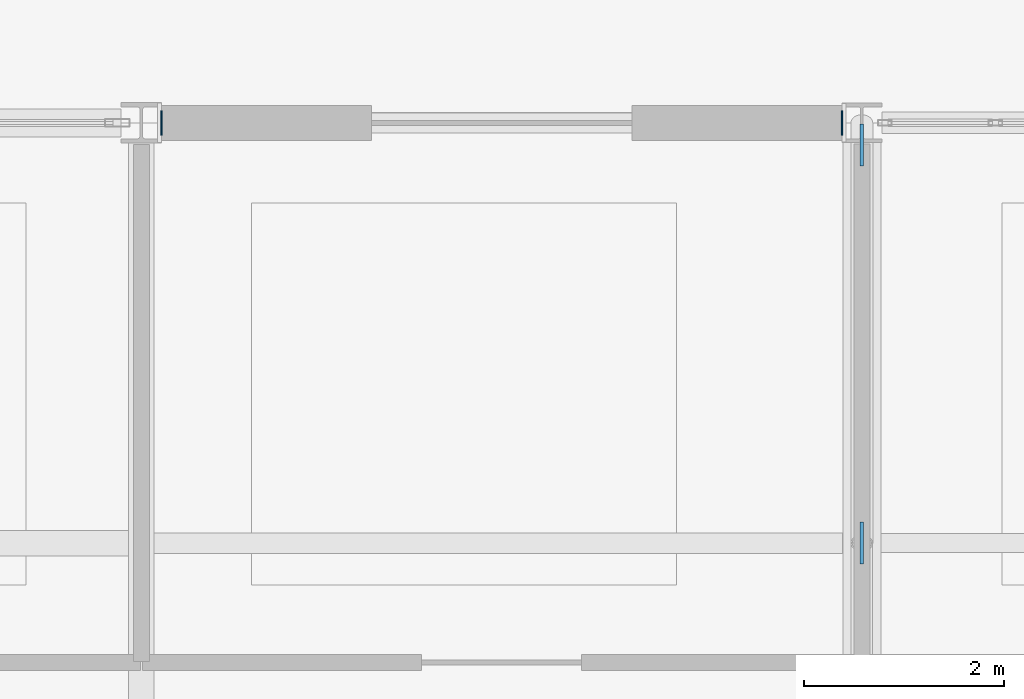
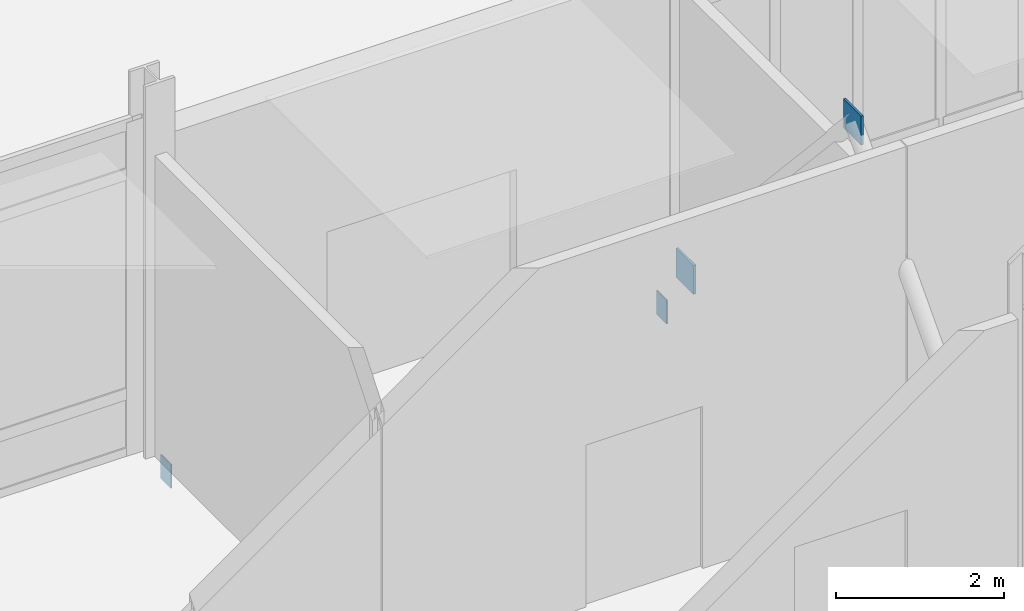
# One storey, part 185 of 229: 4 plates.
"""IFC4 building model written with IfcOpenShell, lengths in metres."""

from ifc_helpers import new_model, si_unit, direction, frame, origin, origin_2d, place, context, subcontext, project, spatial, rectangle, extrude, material, layer, layer_set, type_object, element, save


model = new_model("IFC4")

# Units and contexts
model_context = context("Model", 3, precision=1e-05, world=origin(), true_north=direction((0.0, 1.0)))
body_context = subcontext(model_context, "Body", "Model", "MODEL_VIEW")
ifc_project = project(units=[si_unit("LENGTHUNIT", "METRE"), si_unit("AREAUNIT", "SQUARE_METRE"), si_unit("VOLUMEUNIT", "CUBIC_METRE"), si_unit("PLANEANGLEUNIT", "RADIAN"), si_unit("MASSUNIT", "GRAM", prefix="KILO")], contexts=[model_context])

# Site, building, storey
site_placement = place(None, origin())
site = spatial("IfcSite", under=ifc_project, at=site_placement, CompositionType="ELEMENT")
building_placement = place(site_placement, origin())
building = spatial("IfcBuilding", under=site, at=building_placement, Name="Calvrana Isthmian Art Gallery", CompositionType="ELEMENT")
storey_placement = place(building_placement, origin())
storey = spatial("IfcBuildingStorey", under=building, at=storey_placement, Name="L00", CompositionType="ELEMENT", Elevation=0.0)

# Plates
ifc_material = material(Name="Steel ASTM A572 Gr 50", Category="steel")
ifc_layer_1 = layer(ifc_material, 0.01611328125, Name="Steel ASTM A572 Gr 50")
ifc_layer_set_1 = layer_set([ifc_layer_1], Name="Steel ASTM A572 Gr 50")
plate_type_1 = type_object("IfcPlateType", Name="PL-CAP-16", PredefinedType="SHEET", material=ifc_layer_set_1)
for number, where, z_axis, x_axis, name in (
    (1, (134.6005859375, 46.800048828125, -0.60986328125), (0.0, 0.0, 1.0), (1.0, 0.0, 0.0), "Hollow section end cap plate 389"),
    (2, (141.400390625, 46.800048828125, -0.60986328125), (0.0, 0.0, 1.0), (1.0, 0.0, 0.0), "Hollow section end cap plate 390"),
):
    element("IfcPlate", number, at=place(storey_placement, frame(where, z_axis=z_axis, x_axis=x_axis)), inside=storey, type_object=plate_type_1, Name=name, PredefinedType="SHEET", context=body_context, shape_type="SweptSolid", body=[
        extrude(rectangle(XDim=0.01611328125, YDim=0.2431640625, at=origin_2d()), origin(), (0.0, 0.0, 1.0), 0.3447265625),
    ])
ifc_layer_2 = layer(ifc_material, 0.031982421875, Name="Steel ASTM A572 Gr 50")
ifc_layer_set_2 = layer_set([ifc_layer_2], Name="Steel ASTM A572 Gr 50")
plate_type_2 = type_object("IfcPlateType", Name="PL-GUSSET-32", PredefinedType="USERDEFINED", material=ifc_layer_set_2)
for number, where, z_axis, x_axis, name in (
    (3, (141.60009765625, 42.60009765625, 4.51708984375), (0.0, 0.0, 1.0), (1.0, 0.0, 0.0), "Chevron brace gusset plate L00-7M"),
    (4, (141.60009765625, 46.580078125, -0.06005859375), (0.0, 0.0, 1.0), (1.0, 0.0, 0.0), "Chevron brace gusset plate L00-7R"),
):
    element("IfcPlate", number, at=place(storey_placement, frame(where, z_axis=z_axis, x_axis=x_axis)), inside=storey, type_object=plate_type_2, Name=name, ObjectType="GUSSET PLATE", PredefinedType="USERDEFINED", context=body_context, shape_type="SweptSolid", body=[
        extrude(rectangle(XDim=0.031982421875, YDim=0.419921875, at=origin_2d()), origin(), (0.0, 0.0, 1.0), 0.419921875),
    ])

save(model, "model.ifc")
